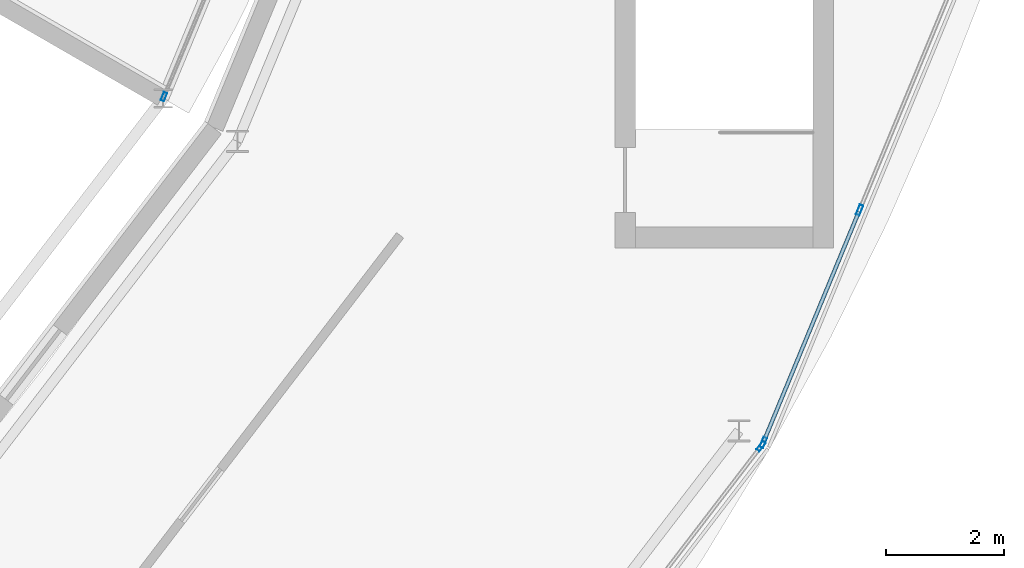
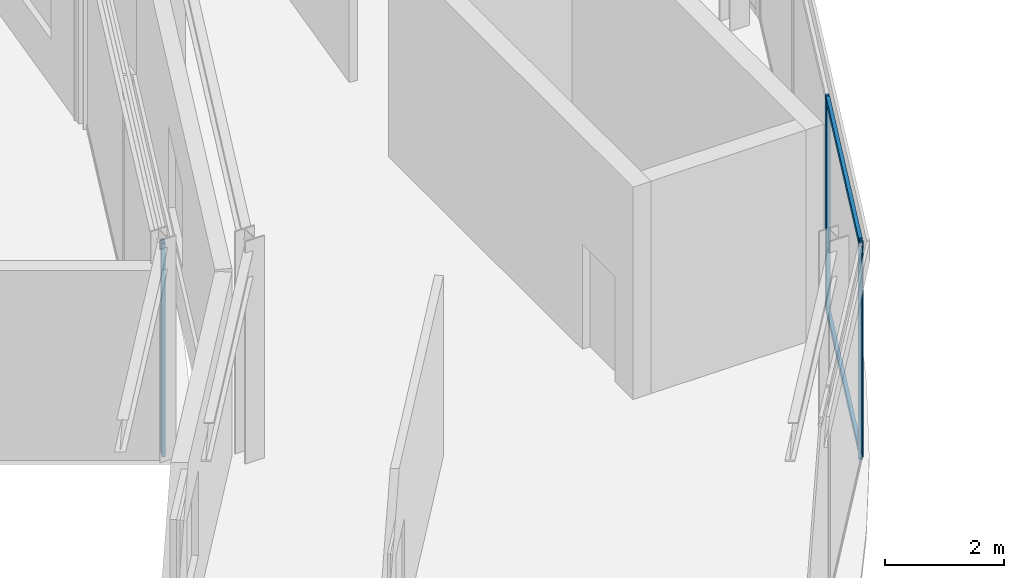
# One storey, part 44 of 157: 6 members, 3 elements without a shape of their own.
"""IFC4 building model written with IfcOpenShell, lengths in metres."""

from ifc_helpers import new_model, si_unit, direction, frame, origin, origin_2d, place, context, subcontext, project, spatial, hollow_rectangle, extrude, material, material_profile, profile_set, type_object, element, aggregate, save


model = new_model("IFC4")

# Units and contexts
model_context = context("Model", 3, precision=1e-05, world=origin(), true_north=direction((0.0, 1.0)))
body_context = subcontext(model_context, "Body", "Model", "MODEL_VIEW")
ifc_project = project(units=[si_unit("LENGTHUNIT", "METRE"), si_unit("AREAUNIT", "SQUARE_METRE"), si_unit("VOLUMEUNIT", "CUBIC_METRE"), si_unit("PLANEANGLEUNIT", "RADIAN"), si_unit("MASSUNIT", "GRAM", prefix="KILO")], contexts=[model_context])

# Site, building, storey
site_placement = place(None, origin())
site = spatial("IfcSite", under=ifc_project, at=site_placement, CompositionType="ELEMENT")
building_placement = place(site_placement, origin())
building = spatial("IfcBuilding", under=site, at=building_placement, Name="Almandine Court Research Institute", CompositionType="ELEMENT")
storey_placement = place(building_placement, frame((0.0, 0.0, 5.25)))
storey = spatial("IfcBuildingStorey", under=building, at=storey_placement, Name="L01", CompositionType="ELEMENT", Elevation=5.25)

# Curtain wall, member
ifc_material_1 = material(Name="Unitised Curtain Wall Framing and Solar Glazing", Category="glass")
curtain_wall_type_1 = type_object("IfcCurtainWallType", Name="CW-CWG-24", PredefinedType="USERDEFINED", material=ifc_material_1)
curtain_wall_1_placement = place(storey_placement, origin())
curtain_wall_1 = element("IfcCurtainWall", 1, at=curtain_wall_1_placement, inside=storey, type_object=curtain_wall_type_1, Name="L01 Interaction Atrium Perimeter Curtain Wall 22", ObjectType="UNITISED GLAZING", PredefinedType="USERDEFINED")
ifc_material_2 = material(Name="Anodised Aluminium AW-6063-T6", Category="aluminium")
ifc_material_profile_1 = material_profile(ifc_material_2, hollow_rectangle(XDim=0.06005859375, YDim=0.14990234375, WallThickness=0.00390625, at=origin_2d()), Name="ALU RHS 60x150x4")
ifc_profile_set_1 = profile_set([ifc_material_profile_1], Name="Anodised Aluminium AW-6063-T6")
member_type_1 = type_object("IfcMemberType", Name="CWMul-60x150", PredefinedType="MULLION", material=ifc_profile_set_1)
member_1_placement = place(storey_placement, frame((119.619384765625, 37.205810546875, 0.0), z_axis=(0.0, 0.0, 1.0), x_axis=(0.923900189297, -0.382633558665, 0.0)))
member_1 = element("IfcMember", 2, at=member_1_placement, type_object=member_type_1, Name="CWG-24 mullion 3", PredefinedType="MULLION", context=body_context, shape_type="SweptSolid", body=[
    extrude(hollow_rectangle(XDim=0.06005859375, YDim=0.14990234375, WallThickness=0.00390625, at=origin_2d()), origin(), (0.0, 0.0, 1.0), 4.3701171875),
])
aggregate(curtain_wall_1, [member_1])

curtain_wall_type_2 = type_object("IfcCurtainWallType", Name="CW-CWJ-19", PredefinedType="USERDEFINED", material=ifc_material_1)
curtain_wall_2_placement = place(storey_placement, origin())
curtain_wall_2 = element("IfcCurtainWall", 3, at=curtain_wall_2_placement, inside=storey, type_object=curtain_wall_type_2, Name="L01 Stacked-Ring Drum Outer Solar Jali Screen 21", ObjectType="SOLAR JALI SCREEN", PredefinedType="USERDEFINED")
ifc_material_profile_2 = material_profile(ifc_material_2, hollow_rectangle(XDim=0.06494140625, YDim=0.179931640625, WallThickness=0.00390625, at=origin_2d()), Name="ALU RHS 65x180x4")
ifc_profile_set_2 = profile_set([ifc_material_profile_2], Name="Anodised Aluminium AW-6063-T6")
member_type_2 = type_object("IfcMemberType", Name="CWMul-65x180", PredefinedType="MULLION", material=ifc_profile_set_2)
member_2_placement = place(storey_placement, frame((129.72509765625, 31.291259765625, 0.0), z_axis=(0.0, 0.0, 1.0), x_axis=(0.793382586046, -0.608723313303, 0.0)))
member_2 = element("IfcMember", 4, at=member_2_placement, type_object=member_type_2, Name="CWJ-19 mullion 1", PredefinedType="MULLION", context=body_context, shape_type="SweptSolid", body=[
    extrude(hollow_rectangle(XDim=0.06494140625, YDim=0.179931640625, WallThickness=0.00390625, at=origin_2d()), origin(), (0.0, 0.0, 1.0), 4.3701171875),
])
aggregate(curtain_wall_2, [member_2])

# Curtain wall, members
curtain_wall_3_placement = place(storey_placement, origin())
curtain_wall_3 = element("IfcCurtainWall", 5, at=curtain_wall_3_placement, inside=storey, type_object=curtain_wall_type_2, Name="L01 Stacked-Ring Drum Outer Solar Jali Screen 22", ObjectType="SOLAR JALI SCREEN", PredefinedType="USERDEFINED")
member_3_placement = place(storey_placement, frame((131.3916015625, 35.2890625, 0.0), z_axis=(0.0, 0.0, 1.0), x_axis=(0.923888124321, -0.382662689242, 0.0)))
member_3 = element("IfcMember", 6, at=member_3_placement, type_object=member_type_2, Name="CWJ-19 mullion 3", PredefinedType="MULLION", context=body_context, shape_type="SweptSolid", body=[
    extrude(hollow_rectangle(XDim=0.06494140625, YDim=0.179931640625, WallThickness=0.00390625, at=origin_2d()), origin(), (0.0, 0.0, 1.0), 4.3701171875),
])
member_4_placement = place(storey_placement, frame((129.761474609375, 31.35302734375, 0.0), z_axis=(0.0, 0.0, 1.0), x_axis=(0.923888124321, -0.382662689242, 0.0)))
member_4 = element("IfcMember", 7, at=member_4_placement, type_object=member_type_2, Name="CWJ-19 mullion 4", PredefinedType="MULLION", context=body_context, shape_type="SweptSolid", body=[
    extrude(hollow_rectangle(XDim=0.06494140625, YDim=0.179931640625, WallThickness=0.00390625, at=origin_2d()), origin(), (0.0, 0.0, 1.0), 4.3701171875),
])
ifc_material_profile_3 = material_profile(ifc_material_2, hollow_rectangle(XDim=0.06494140625, YDim=0.1298828125, WallThickness=0.00390625, at=origin_2d()), Name="ALU RHS 65x130x4")
ifc_profile_set_3 = profile_set([ifc_material_profile_3], Name="Anodised Aluminium AW-6063-T6")
member_type_3 = type_object("IfcMemberType", Name="CWTrn-65x130", PredefinedType="NOTDEFINED", material=ifc_profile_set_3)
member_5_placement = place(storey_placement, frame((131.379150390625, 35.259033203125, 0.032470703125), z_axis=(-0.382631051398, -0.923901227679, 0.0), x_axis=(0.923901227679, -0.382631051398, 0.0)))
member_5 = element("IfcMember", 8, at=member_5_placement, type_object=member_type_3, Name="CWJ-19 transom 3.1", ObjectType="TRANSOM", PredefinedType="USERDEFINED", context=body_context, shape_type="SweptSolid", body=[
    extrude(hollow_rectangle(XDim=0.06494140625, YDim=0.1298828125, WallThickness=0.00390625, at=origin_2d()), origin(), (0.0, 0.0, 1.0), 4.1953125),
])
member_6_placement = place(storey_placement, frame((131.379150390625, 35.259033203125, 4.33740234375), z_axis=(-0.382631051398, -0.923901227679, 0.0), x_axis=(0.923901227679, -0.382631051398, 0.0)))
member_6 = element("IfcMember", 9, at=member_6_placement, type_object=member_type_3, Name="CWJ-19 transom 3.2", ObjectType="TRANSOM", PredefinedType="USERDEFINED", context=body_context, shape_type="SweptSolid", body=[
    extrude(hollow_rectangle(XDim=0.06494140625, YDim=0.1298828125, WallThickness=0.00390625, at=origin_2d()), origin(), (0.0, 0.0, 1.0), 4.1953125),
])
aggregate(curtain_wall_3, [member_3, member_4, member_5, member_6])

save(model, "model.ifc")
